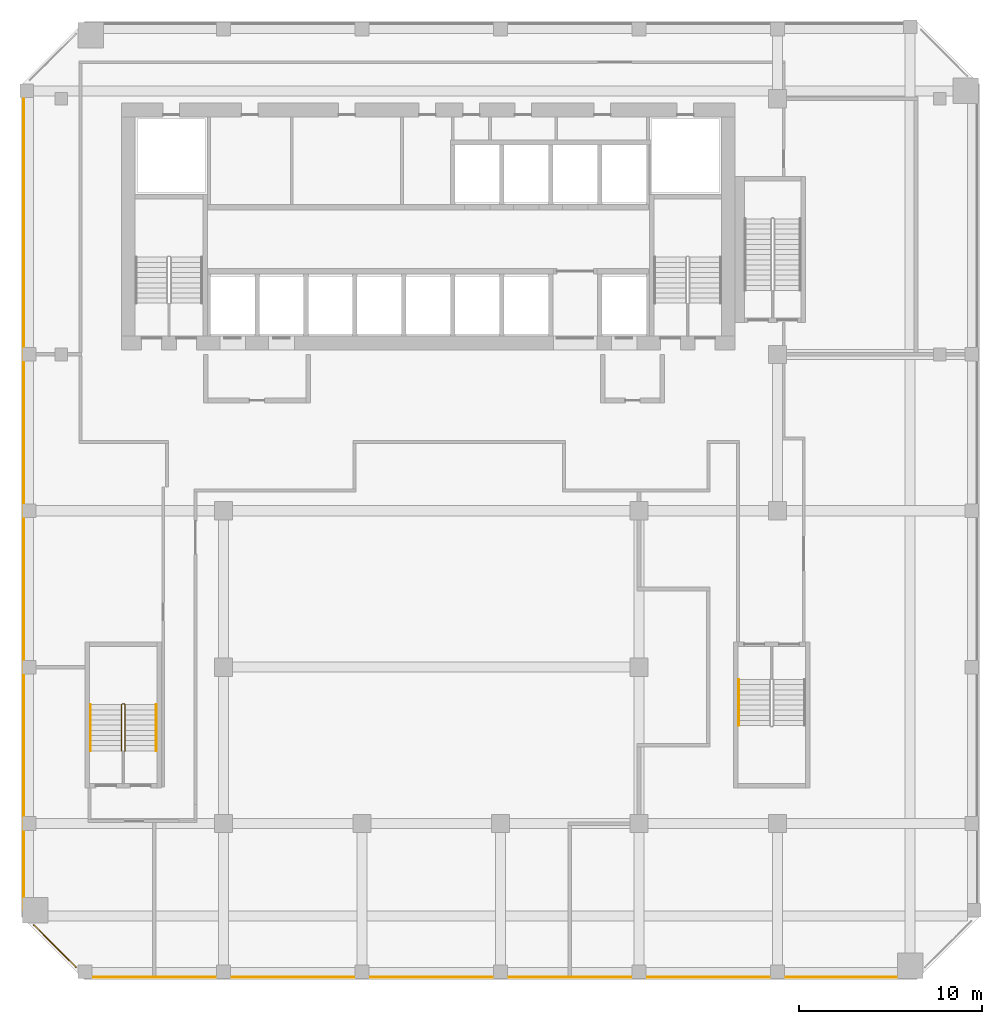
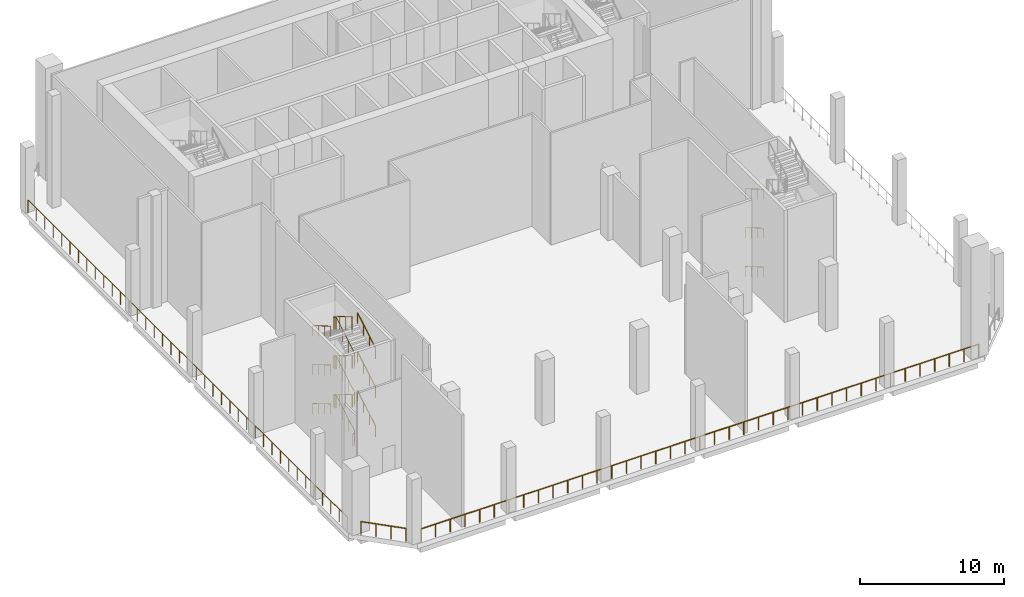
# One storey, part 9 of 12: 13 railings.
"""IFC4 building model written with IfcOpenShell, lengths in metres."""

from ifc_helpers import new_model, si_unit, direction, frame, origin, origin_2d, place, context, subcontext, project, spatial, circle, extrude, material, type_object, element, save


model = new_model("IFC4")

# Units and contexts
model_context = context("Model", 3, precision=1e-05, world=origin(), true_north=direction((0.0, 1.0)))
body_context = subcontext(model_context, "Body", "Model", "MODEL_VIEW")
ifc_project = project(units=[si_unit("LENGTHUNIT", "METRE"), si_unit("AREAUNIT", "SQUARE_METRE"), si_unit("VOLUMEUNIT", "CUBIC_METRE"), si_unit("PLANEANGLEUNIT", "RADIAN"), si_unit("MASSUNIT", "GRAM", prefix="KILO")], contexts=[model_context])

# Site, building, storey
site_placement = place(None, origin())
site = spatial("IfcSite", under=ifc_project, at=site_placement, CompositionType="ELEMENT")
building_placement = place(site_placement, origin())
building = spatial("IfcBuilding", under=site, at=building_placement, Name="Kilnfold Tower and Market Hall", CompositionType="ELEMENT")
storey_placement = place(building_placement, frame((0.0, 0.0, 223.699951171875)))
storey = spatial("IfcBuildingStorey", under=building, at=storey_placement, Name="L55 Refuge Wind Floor", CompositionType="ELEMENT", Elevation=223.699951171875)

# Railings
ifc_material_1 = material(Name="Stainless steel 316", Category="steel")
railing_type_1 = type_object("IfcRailingType", Name="CORE STAIR GUARD 1100", PredefinedType="GUARDRAIL", material=ifc_material_1)
railing_1_placement = place(storey_placement, frame((-15.699951171875, -13.75, 0.0)))
element("IfcRailing", 1, at=railing_1_placement, inside=storey, type_object=railing_type_1, Name="L55 Refuge Wind Floor ST3 stair guard 1", PredefinedType="GUARDRAIL", context=body_context, shape_type="SweptSolid", body=[
    extrude(circle(Radius=0.02392578125, at=origin_2d()), frame((0.0, 0.0, 1.076171875), z_axis=(1.0, 0.0, 0.0), x_axis=(0.0, 1.0, 0.0)), (0.0, 0.0, 1.0), 0.099853515625),
    extrude(circle(Radius=0.02392578125, at=origin_2d()), frame((0.099853515625, 0.0, 1.076171875), z_axis=(0.278705021027, 0.278705021027, 0.919046801044), x_axis=(-0.707106781187, 0.707106781187, 0.0)), (0.0, 0.0, 1.0), 0.1796875),
    extrude(circle(Radius=0.02392578125, at=origin_2d()), frame((0.14990234375, 0.050048828125, 1.2412109375), z_axis=(0.0, 0.86152411907, 0.507716645641), x_axis=(-1.0, 0.0, 0.0)), (0.0, 0.0, 1.0), 2.925048828125),
    extrude(circle(Radius=0.02392578125, at=origin_2d()), frame((0.14990234375, 2.570068359375, 2.72607421875), z_axis=(-0.707106781187, 0.707106781187, 0.0), x_axis=(-0.707106781187, -0.707106781187, 0.0)), (0.0, 0.0, 1.0), 0.07080078125),
    extrude(circle(Radius=0.02392578125, at=origin_2d()), frame((0.099853515625, 2.6201171875, 2.72607421875), z_axis=(-1.0, 0.0, 0.0), x_axis=(0.0, -1.0, 0.0)), (0.0, 0.0, 1.0), 0.099853515625),
    extrude(circle(Radius=0.02392578125, at=origin_2d()), frame((0.0, 2.6201171875, 2.72607421875), z_axis=(-0.279053652268, -0.279053652268, 0.918835196492), x_axis=(0.707106781187, -0.707106781187, 0.0)), (0.0, 0.0, 1.0), 0.179443359375),
    extrude(circle(Radius=0.02392578125, at=origin_2d()), frame((-0.050048828125, 2.570068359375, 2.89111328125), z_axis=(0.0, -0.86152411907, 0.507716645641), x_axis=(1.0, 0.0, 0.0)), (0.0, 0.0, 1.0), 2.925048828125),
    extrude(circle(Radius=0.02392578125, at=origin_2d()), frame((-0.050048828125, 0.050048828125, 4.3759765625), z_axis=(0.707106781187, -0.707106781187, 0.0), x_axis=(0.707106781187, 0.707106781187, 0.0)), (0.0, 0.0, 1.0), 0.07080078125),
    extrude(circle(Radius=0.02392578125, at=origin_2d()), frame((0.0, 0.0, 4.3759765625), z_axis=(1.0, 0.0, 0.0), x_axis=(0.0, 1.0, 0.0)), (0.0, 0.0, 1.0), 0.099853515625),
    extrude(circle(Radius=0.02392578125, at=origin_2d()), frame((0.099853515625, 0.0, 4.3759765625), z_axis=(0.278705021027, 0.278705021027, 0.919046801044), x_axis=(-0.707106781187, 0.707106781187, 0.0)), (0.0, 0.0, 1.0), 0.1796875),
    extrude(circle(Radius=0.02392578125, at=origin_2d()), frame((0.14990234375, 0.050048828125, 4.541015625), z_axis=(0.0, 0.861560626758, 0.507654692109), x_axis=(-1.0, 0.0, 0.0)), (0.0, 0.0, 1.0), 2.925048828125),
    extrude(circle(Radius=0.02392578125, at=origin_2d()), frame((0.14990234375, 2.570068359375, 6.02587890625), z_axis=(-0.707106781187, 0.707106781187, 0.0), x_axis=(-0.707106781187, -0.707106781187, 0.0)), (0.0, 0.0, 1.0), 0.07080078125),
    extrude(circle(Radius=0.02392578125, at=origin_2d()), frame((0.099853515625, 2.6201171875, 6.02587890625), z_axis=(-1.0, 0.0, 0.0), x_axis=(0.0, -1.0, 0.0)), (0.0, 0.0, 1.0), 0.099853515625),
    extrude(circle(Radius=0.02392578125, at=origin_2d()), frame((0.0, 2.6201171875, 6.02587890625), z_axis=(-0.278705021027, -0.278705021027, 0.919046801044), x_axis=(0.707106781187, -0.707106781187, 0.0)), (0.0, 0.0, 1.0), 0.1796875),
    extrude(circle(Radius=0.02392578125, at=origin_2d()), frame((-0.050048828125, 2.570068359375, 6.19091796875), z_axis=(0.0, -0.86152411907, 0.507716645641), x_axis=(1.0, 0.0, 0.0)), (0.0, 0.0, 1.0), 2.925048828125),
    extrude(circle(Radius=0.02392578125, at=origin_2d()), frame((-0.050048828125, 0.050048828125, 7.67626953125), z_axis=(0.707106781187, -0.707106781187, 0.0), x_axis=(0.707106781187, 0.707106781187, 0.0)), (0.0, 0.0, 1.0), 0.07080078125),
    extrude(circle(Radius=0.02392578125, at=origin_2d()), frame((0.0, 0.0, 7.67626953125), z_axis=(1.0, 0.0, 0.0), x_axis=(0.0, 1.0, 0.0)), (0.0, 0.0, 1.0), 0.099853515625),
    extrude(circle(Radius=0.02392578125, at=origin_2d()), frame((0.099853515625, 0.0, 7.67626953125), z_axis=(0.278705021027, 0.278705021027, 0.919046801044), x_axis=(-0.707106781187, 0.707106781187, 0.0)), (0.0, 0.0, 1.0), 0.1796875),
    extrude(circle(Radius=0.02392578125, at=origin_2d()), frame((0.14990234375, 0.050048828125, 7.84130859375), z_axis=(0.0, 0.861560626758, 0.507654692109), x_axis=(-1.0, 0.0, 0.0)), (0.0, 0.0, 1.0), 2.925048828125),
    extrude(circle(Radius=0.02392578125, at=origin_2d()), frame((0.14990234375, 2.570068359375, 9.326171875), z_axis=(-0.707106781187, 0.707106781187, 0.0), x_axis=(-0.707106781187, -0.707106781187, 0.0)), (0.0, 0.0, 1.0), 0.07080078125),
    extrude(circle(Radius=0.02392578125, at=origin_2d()), frame((0.099853515625, 2.6201171875, 9.326171875), z_axis=(-1.0, 0.0, 0.0), x_axis=(0.0, -1.0, 0.0)), (0.0, 0.0, 1.0), 0.099853515625),
    extrude(circle(Radius=0.02392578125, at=origin_2d()), frame((0.0, 2.6201171875, 9.326171875), z_axis=(-0.278705021027, -0.278705021027, 0.919046801044), x_axis=(0.707106781187, -0.707106781187, 0.0)), (0.0, 0.0, 1.0), 0.1796875),
    extrude(circle(Radius=0.02392578125, at=origin_2d()), frame((-0.050048828125, 2.570068359375, 9.4912109375), z_axis=(0.0, -0.86152411907, 0.507716645641), x_axis=(1.0, 0.0, 0.0)), (0.0, 0.0, 1.0), 2.925048828125),
    extrude(circle(Radius=0.02099609375, at=origin_2d()), origin(), (0.0, 0.0, 1.0), 1.052001953125),
    extrude(circle(Radius=0.02099609375, at=origin_2d()), frame((0.099853515625, 0.0, 0.0)), (0.0, 0.0, 1.0), 1.052001953125),
    extrude(circle(Radius=0.02099609375, at=origin_2d()), frame((0.14990234375, 0.050048828125, 0.1650390625)), (0.0, 0.0, 1.0), 1.052001953125),
    extrude(circle(Radius=0.02099609375, at=origin_2d()), frame((0.14990234375, 0.89013671875, 0.66015625)), (0.0, 0.0, 1.0), 1.052001953125),
    extrude(circle(Radius=0.02099609375, at=origin_2d()), frame((0.14990234375, 1.72998046875, 1.155029296875)), (0.0, 0.0, 1.0), 1.052001953125),
    extrude(circle(Radius=0.02099609375, at=origin_2d()), frame((0.14990234375, 2.570068359375, 1.650146484375)), (0.0, 0.0, 1.0), 1.052001953125),
    extrude(circle(Radius=0.02099609375, at=origin_2d()), frame((0.099853515625, 2.6201171875, 1.650146484375)), (0.0, 0.0, 1.0), 1.052001953125),
    extrude(circle(Radius=0.02099609375, at=origin_2d()), frame((0.0, 2.6201171875, 1.650146484375)), (0.0, 0.0, 1.0), 1.052001953125),
    extrude(circle(Radius=0.02099609375, at=origin_2d()), frame((-0.050048828125, 2.570068359375, 1.81494140625)), (0.0, 0.0, 1.0), 1.052001953125),
    extrude(circle(Radius=0.02099609375, at=origin_2d()), frame((-0.050048828125, 1.72998046875, 2.31005859375)), (0.0, 0.0, 1.0), 1.052001953125),
    extrude(circle(Radius=0.02099609375, at=origin_2d()), frame((-0.050048828125, 0.89013671875, 2.804931640625)), (0.0, 0.0, 1.0), 1.052001953125),
    extrude(circle(Radius=0.02099609375, at=origin_2d()), frame((-0.050048828125, 0.050048828125, 3.300048828125)), (0.0, 0.0, 1.0), 1.052001953125),
    extrude(circle(Radius=0.02099609375, at=origin_2d()), frame((0.0, 0.0, 3.300048828125)), (0.0, 0.0, 1.0), 1.052001953125),
    extrude(circle(Radius=0.02099609375, at=origin_2d()), frame((0.099853515625, 0.0, 3.300048828125)), (0.0, 0.0, 1.0), 1.052001953125),
    extrude(circle(Radius=0.02099609375, at=origin_2d()), frame((0.14990234375, 0.050048828125, 3.465087890625)), (0.0, 0.0, 1.0), 1.052001953125),
    extrude(circle(Radius=0.02099609375, at=origin_2d()), frame((0.14990234375, 0.89013671875, 3.9599609375)), (0.0, 0.0, 1.0), 1.052001953125),
    extrude(circle(Radius=0.02099609375, at=origin_2d()), frame((0.14990234375, 1.72998046875, 4.455078125)), (0.0, 0.0, 1.0), 1.052001953125),
    extrude(circle(Radius=0.02099609375, at=origin_2d()), frame((0.14990234375, 2.570068359375, 4.949951171875)), (0.0, 0.0, 1.0), 1.052001953125),
    extrude(circle(Radius=0.02099609375, at=origin_2d()), frame((0.099853515625, 2.6201171875, 4.949951171875)), (0.0, 0.0, 1.0), 1.052001953125),
    extrude(circle(Radius=0.02099609375, at=origin_2d()), frame((0.0, 2.6201171875, 4.949951171875)), (0.0, 0.0, 1.0), 1.052001953125),
    extrude(circle(Radius=0.02099609375, at=origin_2d()), frame((-0.050048828125, 2.570068359375, 5.114990234375)), (0.0, 0.0, 1.0), 1.052001953125),
    extrude(circle(Radius=0.02099609375, at=origin_2d()), frame((-0.050048828125, 1.72998046875, 5.610107421875)), (0.0, 0.0, 1.0), 1.052001953125),
    extrude(circle(Radius=0.02099609375, at=origin_2d()), frame((-0.050048828125, 0.89013671875, 6.10498046875)), (0.0, 0.0, 1.0), 1.052001953125),
    extrude(circle(Radius=0.02099609375, at=origin_2d()), frame((-0.050048828125, 0.050048828125, 6.60009765625)), (0.0, 0.0, 1.0), 1.052001953125),
    extrude(circle(Radius=0.02099609375, at=origin_2d()), frame((0.0, 0.0, 6.60009765625)), (0.0, 0.0, 1.0), 1.052001953125),
    extrude(circle(Radius=0.02099609375, at=origin_2d()), frame((0.099853515625, 0.0, 6.60009765625)), (0.0, 0.0, 1.0), 1.052001953125),
    extrude(circle(Radius=0.02099609375, at=origin_2d()), frame((0.14990234375, 0.050048828125, 6.76513671875)), (0.0, 0.0, 1.0), 1.052001953125),
    extrude(circle(Radius=0.02099609375, at=origin_2d()), frame((0.14990234375, 0.89013671875, 7.260009765625)), (0.0, 0.0, 1.0), 1.052001953125),
    extrude(circle(Radius=0.02099609375, at=origin_2d()), frame((0.14990234375, 1.72998046875, 7.755126953125)), (0.0, 0.0, 1.0), 1.052001953125),
    extrude(circle(Radius=0.02099609375, at=origin_2d()), frame((0.14990234375, 2.570068359375, 8.25)), (0.0, 0.0, 1.0), 1.052001953125),
    extrude(circle(Radius=0.02099609375, at=origin_2d()), frame((0.099853515625, 2.6201171875, 8.25)), (0.0, 0.0, 1.0), 1.052001953125),
    extrude(circle(Radius=0.02099609375, at=origin_2d()), frame((0.0, 2.6201171875, 8.25)), (0.0, 0.0, 1.0), 1.052001953125),
    extrude(circle(Radius=0.02099609375, at=origin_2d()), frame((-0.050048828125, 2.570068359375, 8.4150390625)), (0.0, 0.0, 1.0), 1.052001953125),
    extrude(circle(Radius=0.02099609375, at=origin_2d()), frame((-0.050048828125, 1.72998046875, 8.91015625)), (0.0, 0.0, 1.0), 1.052001953125),
    extrude(circle(Radius=0.02099609375, at=origin_2d()), frame((-0.050048828125, 0.89013671875, 9.405029296875)), (0.0, 0.0, 1.0), 1.052001953125),
    extrude(circle(Radius=0.02099609375, at=origin_2d()), frame((-0.050048828125, 0.050048828125, 9.900146484375)), (0.0, 0.0, 1.0), 1.052001953125),
])
ifc_material_2 = material(Name="Stainless steel 316", Category="steel")
railing_type_2 = type_object("IfcRailingType", Name="CORE STAIR HANDRAIL 900", PredefinedType="HANDRAIL", material=ifc_material_2)
railing_2_placement = place(storey_placement, frame((-13.85009765625, -13.699951171875, 0.1650390625)))
element("IfcRailing", 2, at=railing_2_placement, inside=storey, type_object=railing_type_2, Name="L55 Refuge Wind Floor ST3 stair handrail 1", PredefinedType="HANDRAIL", context=body_context, shape_type="SweptSolid", body=[
    extrude(circle(Radius=0.02392578125, at=origin_2d()), frame((0.0, 0.0, 0.8759765625), z_axis=(0.0, 0.86152411907, 0.507716645641), x_axis=(-1.0, 0.0, 0.0)), (0.0, 0.0, 1.0), 2.925048828125),
    extrude(circle(Radius=0.02099609375, at=origin_2d()), origin(), (0.0, 0.0, 1.0), 0.851806640625),
    extrude(circle(Radius=0.02099609375, at=origin_2d()), frame((0.0, 0.840087890625, 0.4951171875)), (0.0, 0.0, 1.0), 0.851806640625),
    extrude(circle(Radius=0.02099609375, at=origin_2d()), frame((0.0, 1.679931640625, 0.989990234375)), (0.0, 0.0, 1.0), 0.851806640625),
    extrude(circle(Radius=0.02099609375, at=origin_2d()), frame((0.0, 2.52001953125, 1.485107421875)), (0.0, 0.0, 1.0), 0.851806640625),
])
railing_3_placement = place(storey_placement, frame((-17.449951171875, -11.179931640625, 1.81494140625)))
element("IfcRailing", 3, at=railing_3_placement, inside=storey, type_object=railing_type_2, Name="L55 Refuge Wind Floor ST3 stair handrail 2", PredefinedType="HANDRAIL", context=body_context, shape_type="SweptSolid", body=[
    extrude(circle(Radius=0.02392578125, at=origin_2d()), frame((0.0, 0.0, 0.8759765625), z_axis=(0.0, -0.86152411907, 0.507716645641), x_axis=(1.0, 0.0, 0.0)), (0.0, 0.0, 1.0), 2.925048828125),
    extrude(circle(Radius=0.02099609375, at=origin_2d()), origin(), (0.0, 0.0, 1.0), 0.851806640625),
    extrude(circle(Radius=0.02099609375, at=origin_2d()), frame((0.0, -0.840087890625, 0.4951171875)), (0.0, 0.0, 1.0), 0.851806640625),
    extrude(circle(Radius=0.02099609375, at=origin_2d()), frame((0.0, -1.679931640625, 0.989990234375)), (0.0, 0.0, 1.0), 0.851806640625),
    extrude(circle(Radius=0.02099609375, at=origin_2d()), frame((0.0, -2.52001953125, 1.485107421875)), (0.0, 0.0, 1.0), 0.851806640625),
])
railing_4_placement = place(storey_placement, frame((-13.85009765625, -13.699951171875, 3.465087890625)))
element("IfcRailing", 4, at=railing_4_placement, inside=storey, type_object=railing_type_2, Name="L55 Refuge Wind Floor ST3 stair handrail 3", PredefinedType="HANDRAIL", context=body_context, shape_type="SweptSolid", body=[
    extrude(circle(Radius=0.02392578125, at=origin_2d()), frame((0.0, 0.0, 0.8759765625), z_axis=(0.0, 0.861560626758, 0.507654692109), x_axis=(-1.0, 0.0, 0.0)), (0.0, 0.0, 1.0), 2.925048828125),
    extrude(circle(Radius=0.02099609375, at=origin_2d()), origin(), (0.0, 0.0, 1.0), 0.851806640625),
    extrude(circle(Radius=0.02099609375, at=origin_2d()), frame((0.0, 0.840087890625, 0.494873046875)), (0.0, 0.0, 1.0), 0.851806640625),
    extrude(circle(Radius=0.02099609375, at=origin_2d()), frame((0.0, 1.679931640625, 0.989990234375)), (0.0, 0.0, 1.0), 0.851806640625),
    extrude(circle(Radius=0.02099609375, at=origin_2d()), frame((0.0, 2.52001953125, 1.48486328125)), (0.0, 0.0, 1.0), 0.851806640625),
])
railing_5_placement = place(storey_placement, frame((-17.449951171875, -11.179931640625, 5.114990234375)))
element("IfcRailing", 5, at=railing_5_placement, inside=storey, type_object=railing_type_2, Name="L55 Refuge Wind Floor ST3 stair handrail 4", PredefinedType="HANDRAIL", context=body_context, shape_type="SweptSolid", body=[
    extrude(circle(Radius=0.02392578125, at=origin_2d()), frame((0.0, 0.0, 0.8759765625), z_axis=(0.0, -0.86152411907, 0.507716645641), x_axis=(1.0, 0.0, 0.0)), (0.0, 0.0, 1.0), 2.925048828125),
    extrude(circle(Radius=0.02099609375, at=origin_2d()), origin(), (0.0, 0.0, 1.0), 0.851806640625),
    extrude(circle(Radius=0.02099609375, at=origin_2d()), frame((0.0, -0.840087890625, 0.4951171875)), (0.0, 0.0, 1.0), 0.851806640625),
    extrude(circle(Radius=0.02099609375, at=origin_2d()), frame((0.0, -1.679931640625, 0.989990234375)), (0.0, 0.0, 1.0), 0.851806640625),
    extrude(circle(Radius=0.02099609375, at=origin_2d()), frame((0.0, -2.52001953125, 1.485107421875)), (0.0, 0.0, 1.0), 0.851806640625),
])
railing_6_placement = place(storey_placement, frame((-13.85009765625, -13.699951171875, 6.76513671875)))
element("IfcRailing", 6, at=railing_6_placement, inside=storey, type_object=railing_type_2, Name="L55 Refuge Wind Floor ST3 stair handrail 5", PredefinedType="HANDRAIL", context=body_context, shape_type="SweptSolid", body=[
    extrude(circle(Radius=0.02392578125, at=origin_2d()), frame((0.0, 0.0, 0.8759765625), z_axis=(0.0, 0.861560626758, 0.507654692109), x_axis=(-1.0, 0.0, 0.0)), (0.0, 0.0, 1.0), 2.925048828125),
    extrude(circle(Radius=0.02099609375, at=origin_2d()), origin(), (0.0, 0.0, 1.0), 0.851806640625),
    extrude(circle(Radius=0.02099609375, at=origin_2d()), frame((0.0, 0.840087890625, 0.494873046875)), (0.0, 0.0, 1.0), 0.851806640625),
    extrude(circle(Radius=0.02099609375, at=origin_2d()), frame((0.0, 1.679931640625, 0.989990234375)), (0.0, 0.0, 1.0), 0.851806640625),
    extrude(circle(Radius=0.02099609375, at=origin_2d()), frame((0.0, 2.52001953125, 1.48486328125)), (0.0, 0.0, 1.0), 0.851806640625),
])
for number, where, name in (
    (7, (-17.449951171875, -11.179931640625, 8.4150390625), "L55 Refuge Wind Floor ST3 stair handrail 6"),
    (8, (18.050048828125, -9.800048828125, 0.1650390625), "L55 Refuge Wind Floor ST4 stair handrail 1"),
):
    element("IfcRailing", number, at=place(storey_placement, frame(where)), inside=storey, type_object=railing_type_2, Name=name, PredefinedType="HANDRAIL", context=body_context, shape_type="SweptSolid", body=[
        extrude(circle(Radius=0.02392578125, at=origin_2d()), frame((0.0, 0.0, 0.8759765625), z_axis=(0.0, -0.86152411907, 0.507716645641), x_axis=(1.0, 0.0, 0.0)), (0.0, 0.0, 1.0), 2.925048828125),
        extrude(circle(Radius=0.02099609375, at=origin_2d()), origin(), (0.0, 0.0, 1.0), 0.851806640625),
        extrude(circle(Radius=0.02099609375, at=origin_2d()), frame((0.0, -0.840087890625, 0.4951171875)), (0.0, 0.0, 1.0), 0.851806640625),
        extrude(circle(Radius=0.02099609375, at=origin_2d()), frame((0.0, -1.679931640625, 0.989990234375)), (0.0, 0.0, 1.0), 0.851806640625),
        extrude(circle(Radius=0.02099609375, at=origin_2d()), frame((0.0, -2.52001953125, 1.485107421875)), (0.0, 0.0, 1.0), 0.851806640625),
    ])
for number, where, name in (
    (9, (18.050048828125, -9.800048828125, 3.465087890625), "L55 Refuge Wind Floor ST4 stair handrail 3"),
    (10, (18.050048828125, -9.800048828125, 6.76513671875), "L55 Refuge Wind Floor ST4 stair handrail 5"),
):
    element("IfcRailing", number, at=place(storey_placement, frame(where)), inside=storey, type_object=railing_type_2, Name=name, PredefinedType="HANDRAIL", context=body_context, shape_type="SweptSolid", body=[
        extrude(circle(Radius=0.02392578125, at=origin_2d()), frame((0.0, 0.0, 0.8759765625), z_axis=(0.0, -0.861560626758, 0.507654692109), x_axis=(1.0, 0.0, 0.0)), (0.0, 0.0, 1.0), 2.925048828125),
        extrude(circle(Radius=0.02099609375, at=origin_2d()), origin(), (0.0, 0.0, 1.0), 0.851806640625),
        extrude(circle(Radius=0.02099609375, at=origin_2d()), frame((0.0, -0.840087890625, 0.494873046875)), (0.0, 0.0, 1.0), 0.851806640625),
        extrude(circle(Radius=0.02099609375, at=origin_2d()), frame((0.0, -1.679931640625, 0.989990234375)), (0.0, 0.0, 1.0), 0.851806640625),
        extrude(circle(Radius=0.02099609375, at=origin_2d()), frame((0.0, -2.52001953125, 1.48486328125)), (0.0, 0.0, 1.0), 0.851806640625),
    ])
ifc_material_3 = material(Name="Stainless steel and laminated glass", Category="steel")
railing_type_3 = type_object("IfcRailingType", Name="GUARD 1100", PredefinedType="GUARDRAIL", material=ifc_material_3)
railing_7_placement = place(storey_placement, frame((-17.375, -26.10009765625, 0.0)))
element("IfcRailing", 11, at=railing_7_placement, inside=storey, type_object=railing_type_3, Name="Guard edge S L55", PredefinedType="GUARDRAIL", context=body_context, shape_type="SweptSolid", body=[
    extrude(circle(Radius=0.02490234375, at=origin_2d()), frame((0.0, 0.0, 1.0751953125), z_axis=(1.0, 0.0, 0.0), x_axis=(0.0, 1.0, 0.0)), (0.0, 0.0, 1.0), 44.75),
    extrude(circle(Radius=0.02490234375, at=origin_2d()), origin(), (0.0, 0.0, 1.0), 1.050048828125),
    extrude(circle(Radius=0.02490234375, at=origin_2d()), frame((1.177734375, 0.0, 0.0)), (0.0, 0.0, 1.0), 1.050048828125),
    extrude(circle(Radius=0.02490234375, at=origin_2d()), frame((2.355224609375, 0.0, 0.0)), (0.0, 0.0, 1.0), 1.050048828125),
    extrude(circle(Radius=0.02490234375, at=origin_2d()), frame((3.532958984375, 0.0, 0.0)), (0.0, 0.0, 1.0), 1.050048828125),
    extrude(circle(Radius=0.02490234375, at=origin_2d()), frame((4.71044921875, 0.0, 0.0)), (0.0, 0.0, 1.0), 1.050048828125),
    extrude(circle(Radius=0.02490234375, at=origin_2d()), frame((5.88818359375, 0.0, 0.0)), (0.0, 0.0, 1.0), 1.050048828125),
    extrude(circle(Radius=0.02490234375, at=origin_2d()), frame((7.065673828125, 0.0, 0.0)), (0.0, 0.0, 1.0), 1.050048828125),
    extrude(circle(Radius=0.02490234375, at=origin_2d()), frame((8.243408203125, 0.0, 0.0)), (0.0, 0.0, 1.0), 1.050048828125),
    extrude(circle(Radius=0.02490234375, at=origin_2d()), frame((9.421142578125, 0.0, 0.0)), (0.0, 0.0, 1.0), 1.050048828125),
    extrude(circle(Radius=0.02490234375, at=origin_2d()), frame((10.5986328125, 0.0, 0.0)), (0.0, 0.0, 1.0), 1.050048828125),
    extrude(circle(Radius=0.02490234375, at=origin_2d()), frame((11.7763671875, 0.0, 0.0)), (0.0, 0.0, 1.0), 1.050048828125),
    extrude(circle(Radius=0.02490234375, at=origin_2d()), frame((12.953857421875, 0.0, 0.0)), (0.0, 0.0, 1.0), 1.050048828125),
    extrude(circle(Radius=0.02490234375, at=origin_2d()), frame((14.131591796875, 0.0, 0.0)), (0.0, 0.0, 1.0), 1.050048828125),
    extrude(circle(Radius=0.02490234375, at=origin_2d()), frame((15.309326171875, 0.0, 0.0)), (0.0, 0.0, 1.0), 1.050048828125),
    extrude(circle(Radius=0.02490234375, at=origin_2d()), frame((16.48681640625, 0.0, 0.0)), (0.0, 0.0, 1.0), 1.050048828125),
    extrude(circle(Radius=0.02490234375, at=origin_2d()), frame((17.66455078125, 0.0, 0.0)), (0.0, 0.0, 1.0), 1.050048828125),
    extrude(circle(Radius=0.02490234375, at=origin_2d()), frame((18.842041015625, 0.0, 0.0)), (0.0, 0.0, 1.0), 1.050048828125),
    extrude(circle(Radius=0.02490234375, at=origin_2d()), frame((20.019775390625, 0.0, 0.0)), (0.0, 0.0, 1.0), 1.050048828125),
    extrude(circle(Radius=0.02490234375, at=origin_2d()), frame((21.197265625, 0.0, 0.0)), (0.0, 0.0, 1.0), 1.050048828125),
    extrude(circle(Radius=0.02490234375, at=origin_2d()), frame((22.375, 0.0, 0.0)), (0.0, 0.0, 1.0), 1.050048828125),
    extrude(circle(Radius=0.02490234375, at=origin_2d()), frame((23.552734375, 0.0, 0.0)), (0.0, 0.0, 1.0), 1.050048828125),
    extrude(circle(Radius=0.02490234375, at=origin_2d()), frame((24.730224609375, 0.0, 0.0)), (0.0, 0.0, 1.0), 1.050048828125),
    extrude(circle(Radius=0.02490234375, at=origin_2d()), frame((25.907958984375, 0.0, 0.0)), (0.0, 0.0, 1.0), 1.050048828125),
    extrude(circle(Radius=0.02490234375, at=origin_2d()), frame((27.08544921875, 0.0, 0.0)), (0.0, 0.0, 1.0), 1.050048828125),
    extrude(circle(Radius=0.02490234375, at=origin_2d()), frame((28.26318359375, 0.0, 0.0)), (0.0, 0.0, 1.0), 1.050048828125),
    extrude(circle(Radius=0.02490234375, at=origin_2d()), frame((29.440673828125, 0.0, 0.0)), (0.0, 0.0, 1.0), 1.050048828125),
    extrude(circle(Radius=0.02490234375, at=origin_2d()), frame((30.618408203125, 0.0, 0.0)), (0.0, 0.0, 1.0), 1.050048828125),
    extrude(circle(Radius=0.02490234375, at=origin_2d()), frame((31.796142578125, 0.0, 0.0)), (0.0, 0.0, 1.0), 1.050048828125),
    extrude(circle(Radius=0.02490234375, at=origin_2d()), frame((32.9736328125, 0.0, 0.0)), (0.0, 0.0, 1.0), 1.050048828125),
    extrude(circle(Radius=0.02490234375, at=origin_2d()), frame((34.1513671875, 0.0, 0.0)), (0.0, 0.0, 1.0), 1.050048828125),
    extrude(circle(Radius=0.02490234375, at=origin_2d()), frame((35.328857421875, 0.0, 0.0)), (0.0, 0.0, 1.0), 1.050048828125),
    extrude(circle(Radius=0.02490234375, at=origin_2d()), frame((36.506591796875, 0.0, 0.0)), (0.0, 0.0, 1.0), 1.050048828125),
    extrude(circle(Radius=0.02490234375, at=origin_2d()), frame((37.684326171875, 0.0, 0.0)), (0.0, 0.0, 1.0), 1.050048828125),
    extrude(circle(Radius=0.02490234375, at=origin_2d()), frame((38.86181640625, 0.0, 0.0)), (0.0, 0.0, 1.0), 1.050048828125),
    extrude(circle(Radius=0.02490234375, at=origin_2d()), frame((40.03955078125, 0.0, 0.0)), (0.0, 0.0, 1.0), 1.050048828125),
    extrude(circle(Radius=0.02490234375, at=origin_2d()), frame((41.217041015625, 0.0, 0.0)), (0.0, 0.0, 1.0), 1.050048828125),
    extrude(circle(Radius=0.02490234375, at=origin_2d()), frame((42.394775390625, 0.0, 0.0)), (0.0, 0.0, 1.0), 1.050048828125),
    extrude(circle(Radius=0.02490234375, at=origin_2d()), frame((43.572265625, 0.0, 0.0)), (0.0, 0.0, 1.0), 1.050048828125),
    extrude(circle(Radius=0.02490234375, at=origin_2d()), frame((44.75, 0.0, 0.0)), (0.0, 0.0, 1.0), 1.050048828125),
])
railing_8_placement = place(storey_placement, frame((-21.10009765625, 22.056884765625, 0.0)))
element("IfcRailing", 12, at=railing_8_placement, inside=storey, type_object=railing_type_3, Name="Guard edge W L55", PredefinedType="GUARDRAIL", context=body_context, shape_type="SweptSolid", body=[
    extrude(circle(Radius=0.02490234375, at=origin_2d()), frame((0.0, 0.0, 1.0751953125), z_axis=(0.0, -1.0, 0.0), x_axis=(1.0, 0.0, 0.0)), (0.0, 0.0, 1.0), 44.431884765625),
    extrude(circle(Radius=0.02490234375, at=origin_2d()), origin(), (0.0, 0.0, 1.0), 1.050048828125),
    extrude(circle(Radius=0.02490234375, at=origin_2d()), frame((0.0, -1.169189453125, 0.0)), (0.0, 0.0, 1.0), 1.050048828125),
    extrude(circle(Radius=0.02490234375, at=origin_2d()), frame((0.0, -2.338623046875, 0.0)), (0.0, 0.0, 1.0), 1.050048828125),
    extrude(circle(Radius=0.02490234375, at=origin_2d()), frame((0.0, -3.5078125, 0.0)), (0.0, 0.0, 1.0), 1.050048828125),
    extrude(circle(Radius=0.02490234375, at=origin_2d()), frame((0.0, -4.677001953125, 0.0)), (0.0, 0.0, 1.0), 1.050048828125),
    extrude(circle(Radius=0.02490234375, at=origin_2d()), frame((0.0, -5.84619140625, 0.0)), (0.0, 0.0, 1.0), 1.050048828125),
    extrude(circle(Radius=0.02490234375, at=origin_2d()), frame((0.0, -7.015625, 0.0)), (0.0, 0.0, 1.0), 1.050048828125),
    extrude(circle(Radius=0.02490234375, at=origin_2d()), frame((0.0, -8.184814453125, 0.0)), (0.0, 0.0, 1.0), 1.050048828125),
    extrude(circle(Radius=0.02490234375, at=origin_2d()), frame((0.0, -9.35400390625, 0.0)), (0.0, 0.0, 1.0), 1.050048828125),
    extrude(circle(Radius=0.02490234375, at=origin_2d()), frame((0.0, -10.5234375, 0.0)), (0.0, 0.0, 1.0), 1.050048828125),
    extrude(circle(Radius=0.02490234375, at=origin_2d()), frame((0.0, -11.692626953125, 0.0)), (0.0, 0.0, 1.0), 1.050048828125),
    extrude(circle(Radius=0.02490234375, at=origin_2d()), frame((0.0, -12.86181640625, 0.0)), (0.0, 0.0, 1.0), 1.050048828125),
    extrude(circle(Radius=0.02490234375, at=origin_2d()), frame((0.0, -14.031005859375, 0.0)), (0.0, 0.0, 1.0), 1.050048828125),
    extrude(circle(Radius=0.02490234375, at=origin_2d()), frame((0.0, -15.200439453125, 0.0)), (0.0, 0.0, 1.0), 1.050048828125),
    extrude(circle(Radius=0.02490234375, at=origin_2d()), frame((0.0, -16.36962890625, 0.0)), (0.0, 0.0, 1.0), 1.050048828125),
    extrude(circle(Radius=0.02490234375, at=origin_2d()), frame((0.0, -17.538818359375, 0.0)), (0.0, 0.0, 1.0), 1.050048828125),
    extrude(circle(Radius=0.02490234375, at=origin_2d()), frame((0.0, -18.708251953125, 0.0)), (0.0, 0.0, 1.0), 1.050048828125),
    extrude(circle(Radius=0.02490234375, at=origin_2d()), frame((0.0, -19.87744140625, 0.0)), (0.0, 0.0, 1.0), 1.050048828125),
    extrude(circle(Radius=0.02490234375, at=origin_2d()), frame((0.0, -21.046630859375, 0.0)), (0.0, 0.0, 1.0), 1.050048828125),
    extrude(circle(Radius=0.02490234375, at=origin_2d()), frame((0.0, -22.2158203125, 0.0)), (0.0, 0.0, 1.0), 1.050048828125),
    extrude(circle(Radius=0.02490234375, at=origin_2d()), frame((0.0, -23.38525390625, 0.0)), (0.0, 0.0, 1.0), 1.050048828125),
    extrude(circle(Radius=0.02490234375, at=origin_2d()), frame((0.0, -24.554443359375, 0.0)), (0.0, 0.0, 1.0), 1.050048828125),
    extrude(circle(Radius=0.02490234375, at=origin_2d()), frame((0.0, -25.7236328125, 0.0)), (0.0, 0.0, 1.0), 1.050048828125),
    extrude(circle(Radius=0.02490234375, at=origin_2d()), frame((0.0, -26.89306640625, 0.0)), (0.0, 0.0, 1.0), 1.050048828125),
    extrude(circle(Radius=0.02490234375, at=origin_2d()), frame((0.0, -28.062255859375, 0.0)), (0.0, 0.0, 1.0), 1.050048828125),
    extrude(circle(Radius=0.02490234375, at=origin_2d()), frame((0.0, -29.2314453125, 0.0)), (0.0, 0.0, 1.0), 1.050048828125),
    extrude(circle(Radius=0.02490234375, at=origin_2d()), frame((0.0, -30.40087890625, 0.0)), (0.0, 0.0, 1.0), 1.050048828125),
    extrude(circle(Radius=0.02490234375, at=origin_2d()), frame((0.0, -31.570068359375, 0.0)), (0.0, 0.0, 1.0), 1.050048828125),
    extrude(circle(Radius=0.02490234375, at=origin_2d()), frame((0.0, -32.7392578125, 0.0)), (0.0, 0.0, 1.0), 1.050048828125),
    extrude(circle(Radius=0.02490234375, at=origin_2d()), frame((0.0, -33.908447265625, 0.0)), (0.0, 0.0, 1.0), 1.050048828125),
    extrude(circle(Radius=0.02490234375, at=origin_2d()), frame((0.0, -35.077880859375, 0.0)), (0.0, 0.0, 1.0), 1.050048828125),
    extrude(circle(Radius=0.02490234375, at=origin_2d()), frame((0.0, -36.2470703125, 0.0)), (0.0, 0.0, 1.0), 1.050048828125),
    extrude(circle(Radius=0.02490234375, at=origin_2d()), frame((0.0, -37.416259765625, 0.0)), (0.0, 0.0, 1.0), 1.050048828125),
    extrude(circle(Radius=0.02490234375, at=origin_2d()), frame((0.0, -38.585693359375, 0.0)), (0.0, 0.0, 1.0), 1.050048828125),
    extrude(circle(Radius=0.02490234375, at=origin_2d()), frame((0.0, -39.7548828125, 0.0)), (0.0, 0.0, 1.0), 1.050048828125),
    extrude(circle(Radius=0.02490234375, at=origin_2d()), frame((0.0, -40.924072265625, 0.0)), (0.0, 0.0, 1.0), 1.050048828125),
    extrude(circle(Radius=0.02490234375, at=origin_2d()), frame((0.0, -42.09326171875, 0.0)), (0.0, 0.0, 1.0), 1.050048828125),
    extrude(circle(Radius=0.02490234375, at=origin_2d()), frame((0.0, -43.2626953125, 0.0)), (0.0, 0.0, 1.0), 1.050048828125),
    extrude(circle(Radius=0.02490234375, at=origin_2d()), frame((0.0, -44.431884765625, 0.0)), (0.0, 0.0, 1.0), 1.050048828125),
])
railing_9_placement = place(storey_placement, frame((-20.5439453125, -23.243896484375, 0.0)))
element("IfcRailing", 13, at=railing_9_placement, inside=storey, type_object=railing_type_3, Name="Guard edge SW L55", PredefinedType="GUARDRAIL", context=body_context, shape_type="SweptSolid", body=[
    extrude(circle(Radius=0.02490234375, at=origin_2d()), frame((0.0, 0.0, 1.0751953125), z_axis=(0.707106781187, -0.707106781187, 0.0), x_axis=(0.707106781187, 0.707106781187, 0.0)), (0.0, 0.0, 1.0), 3.252685546875),
    extrude(circle(Radius=0.02490234375, at=origin_2d()), origin(), (0.0, 0.0, 1.0), 1.050048828125),
    extrude(circle(Radius=0.02490234375, at=origin_2d()), frame((0.7666015625, -0.7666015625, 0.0)), (0.0, 0.0, 1.0), 1.050048828125),
    extrude(circle(Radius=0.02490234375, at=origin_2d()), frame((1.533447265625, -1.533447265625, 0.0)), (0.0, 0.0, 1.0), 1.050048828125),
    extrude(circle(Radius=0.02490234375, at=origin_2d()), frame((2.300048828125, -2.300048828125, 0.0)), (0.0, 0.0, 1.0), 1.050048828125),
])

save(model, "model.ifc")
